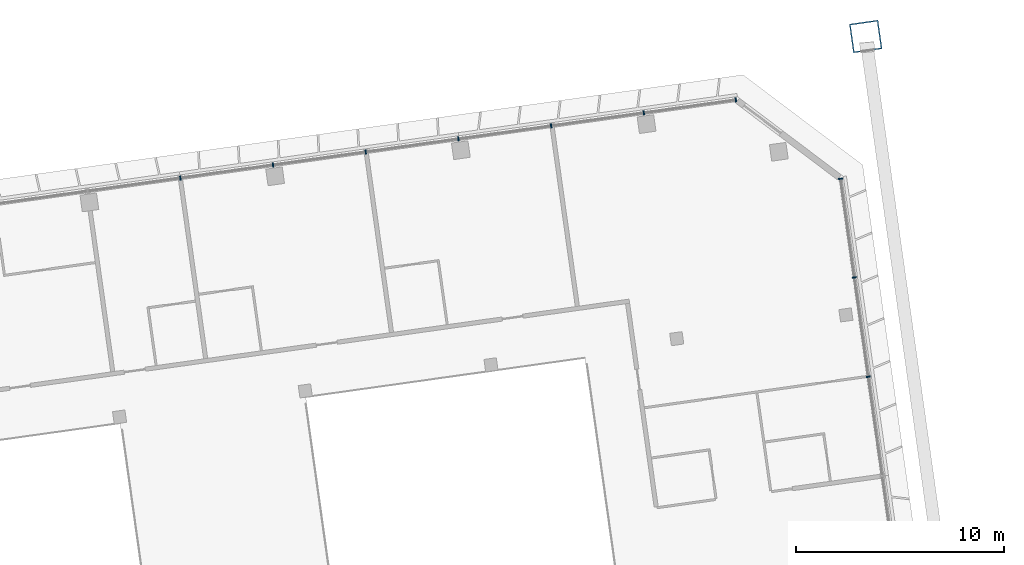
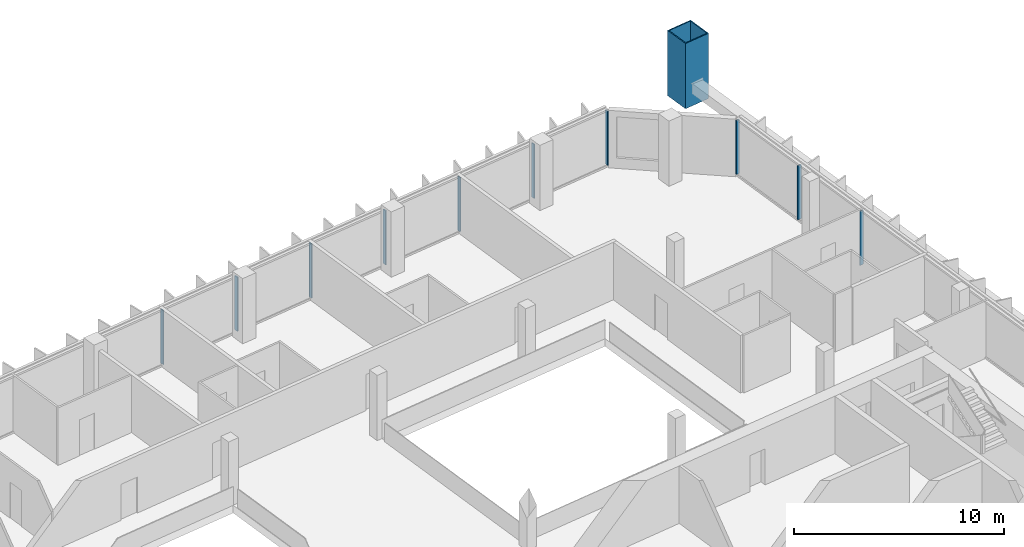
# One storey, part 15 of 31: 11 members, 2 elements without a shape of their own.
"""IFC4 building model written with IfcOpenShell, lengths in metres."""

import ifcopenshell
import ifcopenshell.guid

model = None  # the IFC model being written
_history = None  # IfcOwnerHistory: only IFC2X3 demands one
_inside = {}  # id of a spatial element -> (the spatial element, [elements in it])
_under = {}  # id of a project, library or spatial element -> (it, [spatial elements below it])
_declared = {}  # id of a project -> (the project, [libraries it declares])
_typed = {}  # id of a type object -> (the type object, [elements of that type])
_made_of = {}  # id of a material, layer set ... -> (it, [elements and type objects made of it])


def new_model(schema):
    """Start an empty IFC model of exactly this schema.

    Asked for "IFC4X3", IfcOpenShell would pick the latest addendum, in which some entities
    have other attributes; the version numbers below select the first issue.
    IFC2X3 requires an IfcOwnerHistory on every rooted entity: one is made here for all.
    """
    global model, _history
    if schema == "IFC4X3":
        model = ifcopenshell.file(schema_version=(4, 3, 0, 0))
    else:
        model = ifcopenshell.file(schema=schema)
    _inside.clear()
    _under.clear()
    _declared.clear()
    _typed.clear()
    _made_of.clear()
    _history = None
    if model.schema == "IFC2X3":
        org = make("IfcOrganization", Name="unknown")
        user = make(
            "IfcPersonAndOrganization",
            ThePerson=make("IfcPerson", FamilyName="unknown"),
            TheOrganization=org,
        )
        app = make(
            "IfcApplication",
            ApplicationDeveloper=org,
            Version="unknown",
            ApplicationFullName="unknown",
            ApplicationIdentifier="unknown",
        )
        _history = make(
            "IfcOwnerHistory",
            OwningUser=user,
            OwningApplication=app,
            ChangeAction="ADDED",
            CreationDate=0,
        )
    return model


def make(cls, **values):
    """One entity of the class cls with the attributes given. An attribute that is None is left unset."""
    return model.create_entity(
        cls, **{name: value for name, value in values.items() if value is not None}
    )


def rooted(cls, **values):
    """An entity with a GlobalId (a new one), such as an element, a storey or a relation."""
    return make(cls, GlobalId=ifcopenshell.guid.new(), OwnerHistory=_history, **values)


def si_unit(unit_type, name, prefix=None):
    """IfcSIUnit, for example si_unit("LENGTHUNIT", "METRE", prefix="MILLI")."""
    return make("IfcSIUnit", UnitType=unit_type, Prefix=prefix, Name=name)


def assignment(units):
    """IfcUnitAssignment: the units of a project."""
    return None if units is None else make("IfcUnitAssignment", Units=units)


def point(xyz):
    """IfcCartesianPoint."""
    return None if xyz is None else make("IfcCartesianPoint", Coordinates=xyz)


def direction(xyz):
    """IfcDirection."""
    return None if xyz is None else make("IfcDirection", DirectionRatios=xyz)


def frame(location, z_axis=None, x_axis=None):
    """IfcAxis2Placement3D, a coordinate frame: its origin and axes. An axis left out is left unset."""
    return make(
        "IfcAxis2Placement3D",
        Location=point(location),
        Axis=direction(z_axis),
        RefDirection=direction(x_axis),
    )


def frame_2d(location, x_axis=None):
    """IfcAxis2Placement2D, a coordinate frame in the plane: its origin and x axis."""
    return make(
        "IfcAxis2Placement2D", Location=point(location), RefDirection=direction(x_axis)
    )


def origin():
    """The frame at (0, 0, 0) with its axes left unset."""
    return frame((0.0, 0.0, 0.0))


def origin_2d():
    """The frame at (0, 0) in the plane with its x axis left unset."""
    return frame_2d((0.0, 0.0))


def place(relative_to, where):
    """IfcLocalPlacement: puts the frame where relative to a parent placement (None: the world)."""
    return make(
        "IfcLocalPlacement", PlacementRelTo=relative_to, RelativePlacement=where
    )


def context(
    kind, dimensions, precision=None, world=None, true_north=None, identifier=None
):
    """IfcGeometricRepresentationContext, for example the 3D "Model" context."""
    return make(
        "IfcGeometricRepresentationContext",
        ContextIdentifier=identifier,
        ContextType=kind,
        CoordinateSpaceDimension=dimensions,
        Precision=precision,
        WorldCoordinateSystem=world,
        TrueNorth=true_north,
    )


def subcontext(parent, identifier, kind, view, scale=None):
    """IfcGeometricRepresentationSubContext, for example "Body" below "Model"."""
    return make(
        "IfcGeometricRepresentationSubContext",
        ContextIdentifier=identifier,
        ContextType=kind,
        ParentContext=parent,
        TargetScale=scale,
        TargetView=view,
    )


def project(units=None, contexts=None):
    """IfcProject with its units and contexts."""
    return rooted(
        "IfcProject",
        Name="project",
        RepresentationContexts=contexts,
        UnitsInContext=assignment(units),
    )


def spatial(cls, under=None, at=None, **own):
    """A site, building, storey or space (cls), placed at a placement, below another one or the project."""
    s = rooted(cls, ObjectPlacement=at, **own)
    if under is not None:
        _under.setdefault(under.id(), (under, []))[1].append(s)
    return s


def profile(cls, at=None, kind="AREA", **sizes):
    """A parametric profile (cls). Its sizes go by their IFC names, for example OverallWidth=200.0."""
    return make(cls, ProfileType=kind, Position=at, **sizes)


def rectangle(**sizes):
    """IfcRectangleProfileDef."""
    return profile("IfcRectangleProfileDef", **sizes)


def hollow_rectangle(**sizes):
    """IfcRectangleHollowProfileDef."""
    return profile("IfcRectangleHollowProfileDef", **sizes)


def extrude(swept, where, along, depth):
    """IfcExtrudedAreaSolid: the profile swept, set in the frame where, extruded along a direction by depth."""
    return make(
        "IfcExtrudedAreaSolid",
        SweptArea=swept,
        Position=where,
        ExtrudedDirection=direction(along),
        Depth=depth,
    )


def shape(context_of_items, identifier, shape_type, items):
    """IfcShapeRepresentation: the items that make up one representation, for example the "Body"."""
    return make(
        "IfcShapeRepresentation",
        ContextOfItems=context_of_items,
        RepresentationIdentifier=identifier,
        RepresentationType=shape_type,
        Items=items,
    )


def material(Name=None, Category=None):
    """IfcMaterial."""
    return make("IfcMaterial", Name=Name, Category=Category)


def material_profile(
    of_material, cross_section, Name=None, Category=None, Priority=None
):
    """IfcMaterialProfile: a cross section and its material."""
    return make(
        "IfcMaterialProfile",
        Name=Name,
        Material=of_material,
        Profile=cross_section,
        Priority=Priority,
        Category=Category,
    )


def profile_set(profiles, Name=None, composite=None):
    """IfcMaterialProfileSet."""
    return make(
        "IfcMaterialProfileSet",
        Name=Name,
        MaterialProfiles=profiles,
        CompositeProfile=composite,
    )


def made_of(thing, what):
    """Note that an element or type object is made of a material, layer set ...; save() writes the relation."""
    if what is not None:
        _made_of.setdefault(what.id(), (what, []))[1].append(thing)
    return thing


def type_object(cls, material=None, **own):
    """A type object (cls), such as IfcWallType, which elements share."""
    return made_of(rooted(cls, **own), material)


def element(
    cls,
    number,
    at=None,
    inside=None,
    cuts=None,
    type_object=None,
    material=None,
    context=None,
    identifier="Body",
    shape_type=None,
    held_by="IfcProductDefinitionShape",
    body=None,
    shapes=None,
    **own,
):
    """One element of the class cls, such as IfcWall. Its Tag is "e" and its number.

    at: its placement. inside: the storey or other place that contains it. cuts: it is an
    opening in that element (IfcRelVoidsElement). A single representation is given by context,
    identifier, shape_type and body (its items); several are given by shapes. held_by: the class
    of the entity that holds the representations. save() writes the other relations.
    """
    e = rooted(cls, Tag="e%d" % number, ObjectPlacement=at, **own)
    if body is not None:
        shapes = [shape(context, identifier, shape_type, body)]
    if shapes is not None:
        e.Representation = make(held_by, Representations=shapes)
    if inside is not None:
        _inside.setdefault(inside.id(), (inside, []))[1].append(e)
    if cuts is not None:
        rooted(
            "IfcRelVoidsElement", RelatingBuildingElement=cuts, RelatedOpeningElement=e
        )
    if type_object is not None:
        _typed.setdefault(type_object.id(), (type_object, []))[1].append(e)
    return made_of(e, material)


def aggregate(whole, parts):
    """IfcRelAggregates: a whole, such as a stair, and the parts it consists of."""
    return rooted("IfcRelAggregates", RelatingObject=whole, RelatedObjects=parts)


def save(model, path):
    """Write the relations noted so far, then the file.

    IfcRelAggregates (storeys below a building ...), IfcRelContainedInSpatialStructure (elements
    in a storey), IfcRelDefinesByType, IfcRelAssociatesMaterial and IfcRelDeclares: one each for
    every whole, place, type object, material and project.
    """
    for whole, parts in _under.values():
        aggregate(whole, parts)
    for where, things in _inside.values():
        rooted(
            "IfcRelContainedInSpatialStructure",
            RelatedElements=things,
            RelatingStructure=where,
        )
    for kind, things in _typed.values():
        rooted("IfcRelDefinesByType", RelatedObjects=things, RelatingType=kind)
    for what, things in _made_of.values():
        rooted("IfcRelAssociatesMaterial", RelatedObjects=things, RelatingMaterial=what)
    for by, libraries in _declared.values():
        rooted("IfcRelDeclares", RelatingContext=by, RelatedDefinitions=libraries)
    model.write(path)


model = new_model("IFC4")

# Units and contexts
model_context = context("Model", 3, precision=1e-05, world=origin(), true_north=direction((0.0, 1.0)))
body_context = subcontext(model_context, "Body", "Model", "MODEL_VIEW")
ifc_project = project(units=[si_unit("LENGTHUNIT", "METRE"), si_unit("AREAUNIT", "SQUARE_METRE"), si_unit("VOLUMEUNIT", "CUBIC_METRE"), si_unit("PLANEANGLEUNIT", "RADIAN"), si_unit("MASSUNIT", "GRAM", prefix="KILO")], contexts=[model_context])

# Site, building, storey
site_placement = place(None, origin())
site = spatial("IfcSite", under=ifc_project, at=site_placement, CompositionType="ELEMENT")
building_placement = place(site_placement, origin())
building = spatial("IfcBuilding", under=site, at=building_placement, Name="Mirante Cascada Hotel Towers", CompositionType="ELEMENT")
storey_placement = place(building_placement, frame((0.0, 0.0, 157.4)))
storey = spatial("IfcBuildingStorey", under=building, at=storey_placement, Name="L36", CompositionType="ELEMENT", Elevation=157.4)

# Member
ifc_material_1 = material(Name="Steel ASTM A572 Gr 50", Category="steel")
ifc_material_profile_1 = material_profile(ifc_material_1, hollow_rectangle(XDim=1.4, YDim=1.4, WallThickness=0.06, at=origin_2d()), Name="Box post 1400x1400x60 ASTM A572 Gr 50")
ifc_profile_set_1 = profile_set([ifc_material_profile_1], Name="Steel ASTM A572 Gr 50")
member_type_1 = type_object("IfcMemberType", Name="Box post 1400x1400x60 ASTM A572 Gr 50", PredefinedType="POST", material=ifc_profile_set_1)
member_1_placement = place(storey_placement, frame((91.4448, 27.8419, 0.0), z_axis=(0.0, 0.0, 1.0), x_axis=(0.9902681, 0.1391731, 0.0)))
element("IfcMember", 1, at=member_1_placement, inside=storey, type_object=member_type_1, Name="Mega column MP3 T2 L36", PredefinedType="POST", context=body_context, shape_type="SweptSolid", body=[
    extrude(hollow_rectangle(XDim=1.4, YDim=1.4, WallThickness=0.06, at=origin_2d()), origin(), (0.0, 0.0, 1.0), 3.8),
])

# Curtain wall, members
ifc_material_2 = material(Name="Aluminium mullion and transom frame with clear laminated glass", Category="aluminium")
curtain_wall_type_1 = type_object("IfcCurtainWallType", Name="Ribbon curtain wall ECW1", PredefinedType="NOTDEFINED", material=ifc_material_2)
curtain_wall_1_placement = place(storey_placement, origin())
curtain_wall_1 = element("IfcCurtainWall", 2, at=curtain_wall_1_placement, inside=storey, type_object=curtain_wall_type_1, Name="Front ribbon wall T2 L36", PredefinedType="NOTDEFINED")
ifc_material_3 = material(Name="Anodised aluminium extrusion", Category="aluminium")
ifc_material_profile_2 = material_profile(ifc_material_3, rectangle(XDim=0.2, YDim=0.065, at=origin_2d()), Name="ECW1 MULLION 65x200")
ifc_profile_set_2 = profile_set([ifc_material_profile_2], Name="Anodised aluminium extrusion")
member_type_2 = type_object("IfcMemberType", Name="ECW1 mullion 65x200", PredefinedType="MULLION", material=ifc_profile_set_2)
member_2_placement = place(storey_placement, frame((85.2136, 24.795, 0.1), z_axis=(0.0, 0.0, 1.0), x_axis=(0.1391731, -0.9902681, 0.0)))
member_2 = element("IfcMember", 3, at=member_2_placement, type_object=member_type_2, Name="ECW1 mullion 1", PredefinedType="MULLION", context=body_context, shape_type="SweptSolid", body=[
    extrude(rectangle(XDim=0.2, YDim=0.065, at=origin_2d()), origin(), (0.0, 0.0, 1.0), 3.15),
])
member_3_placement = place(storey_placement, frame((80.7968, 24.1743, 0.1), z_axis=(0.0, 0.0, 1.0), x_axis=(0.1391731, -0.9902681, 0.0)))
member_3 = element("IfcMember", 4, at=member_3_placement, type_object=member_type_2, Name="ECW1 mullion 2", PredefinedType="MULLION", context=body_context, shape_type="SweptSolid", body=[
    extrude(rectangle(XDim=0.2, YDim=0.065, at=origin_2d()), origin(), (0.0, 0.0, 1.0), 3.15),
])
member_4_placement = place(storey_placement, frame((76.3479, 23.549, 0.1), z_axis=(0.0, 0.0, 1.0), x_axis=(0.1391731, -0.9902681, 0.0)))
member_4 = element("IfcMember", 5, at=member_4_placement, type_object=member_type_2, Name="ECW1 mullion 3", PredefinedType="MULLION", context=body_context, shape_type="SweptSolid", body=[
    extrude(rectangle(XDim=0.2, YDim=0.065, at=origin_2d()), origin(), (0.0, 0.0, 1.0), 3.15),
])
member_5_placement = place(storey_placement, frame((71.899, 22.9238, 0.1), z_axis=(0.0, 0.0, 1.0), x_axis=(0.1391731, -0.9902681, 0.0)))
member_5 = element("IfcMember", 6, at=member_5_placement, type_object=member_type_2, Name="ECW1 mullion 4", PredefinedType="MULLION", context=body_context, shape_type="SweptSolid", body=[
    extrude(rectangle(XDim=0.2, YDim=0.065, at=origin_2d()), origin(), (0.0, 0.0, 1.0), 3.15),
])
member_6_placement = place(storey_placement, frame((67.4501, 22.2985, 0.1), z_axis=(0.0, 0.0, 1.0), x_axis=(0.1391731, -0.9902681, 0.0)))
member_6 = element("IfcMember", 7, at=member_6_placement, type_object=member_type_2, Name="ECW1 mullion 5", PredefinedType="MULLION", context=body_context, shape_type="SweptSolid", body=[
    extrude(rectangle(XDim=0.2, YDim=0.065, at=origin_2d()), origin(), (0.0, 0.0, 1.0), 3.15),
])
member_7_placement = place(storey_placement, frame((63.0012, 21.6733, 0.1), z_axis=(0.0, 0.0, 1.0), x_axis=(0.1391731, -0.9902681, 0.0)))
member_7 = element("IfcMember", 8, at=member_7_placement, type_object=member_type_2, Name="ECW1 mullion 6", PredefinedType="MULLION", context=body_context, shape_type="SweptSolid", body=[
    extrude(rectangle(XDim=0.2, YDim=0.065, at=origin_2d()), origin(), (0.0, 0.0, 1.0), 3.15),
])
member_8_placement = place(storey_placement, frame((58.5523, 21.048, 0.1), z_axis=(0.0, 0.0, 1.0), x_axis=(0.1391731, -0.9902681, 0.0)))
member_8 = element("IfcMember", 9, at=member_8_placement, type_object=member_type_2, Name="ECW1 mullion 7", PredefinedType="MULLION", context=body_context, shape_type="SweptSolid", body=[
    extrude(rectangle(XDim=0.2, YDim=0.065, at=origin_2d()), origin(), (0.0, 0.0, 1.0), 3.15),
])
aggregate(curtain_wall_1, [member_2, member_3, member_4, member_5, member_6, member_7, member_8])

ifc_material_4 = material(Name="Aluminium mullion and transom frame with clear laminated glass", Category="aluminium")
curtain_wall_type_2 = type_object("IfcCurtainWallType", Name="End ribbon curtain wall ECW2", PredefinedType="NOTDEFINED", material=ifc_material_4)
curtain_wall_2_placement = place(storey_placement, origin())
curtain_wall_2 = element("IfcCurtainWall", 10, at=curtain_wall_2_placement, inside=storey, type_object=curtain_wall_type_2, Name="Outer end wall T2 L36", PredefinedType="NOTDEFINED")
ifc_material_5 = material(Name="Anodised aluminium extrusion", Category="aluminium")
ifc_material_profile_3 = material_profile(ifc_material_5, rectangle(XDim=0.2, YDim=0.065, at=origin_2d()), Name="ECW2 MULLION 65x200")
ifc_profile_set_3 = profile_set([ifc_material_profile_3], Name="Anodised aluminium extrusion")
member_type_3 = type_object("IfcMemberType", Name="ECW2 mullion 65x200", PredefinedType="MULLION", material=ifc_profile_set_3)
member_9_placement = place(storey_placement, frame((91.5686, 11.5128, 0.1), z_axis=(0.0, 0.0, 1.0), x_axis=(-0.9902681, -0.1391731, 0.0)))
member_9 = element("IfcMember", 11, at=member_9_placement, type_object=member_type_3, Name="ECW2 mullion 5", PredefinedType="MULLION", context=body_context, shape_type="SweptSolid", body=[
    extrude(rectangle(XDim=0.2, YDim=0.065, at=origin_2d()), origin(), (0.0, 0.0, 1.0), 3.15),
])
member_10_placement = place(storey_placement, frame((90.8988, 16.2786, 0.1), z_axis=(0.0, 0.0, 1.0), x_axis=(-0.9902681, -0.1391731, 0.0)))
member_10 = element("IfcMember", 12, at=member_10_placement, type_object=member_type_3, Name="ECW2 mullion 6", PredefinedType="MULLION", context=body_context, shape_type="SweptSolid", body=[
    extrude(rectangle(XDim=0.2, YDim=0.065, at=origin_2d()), origin(), (0.0, 0.0, 1.0), 3.15),
])
member_11_placement = place(storey_placement, frame((90.2335, 21.0122, 0.1), z_axis=(0.0, 0.0, 1.0), x_axis=(-0.9902681, -0.1391731, 0.0)))
member_11 = element("IfcMember", 13, at=member_11_placement, type_object=member_type_3, Name="ECW2 mullion 7", PredefinedType="MULLION", context=body_context, shape_type="SweptSolid", body=[
    extrude(rectangle(XDim=0.2, YDim=0.065, at=origin_2d()), origin(), (0.0, 0.0, 1.0), 3.15),
])
aggregate(curtain_wall_2, [member_9, member_10, member_11])

save(model, "model.ifc")
